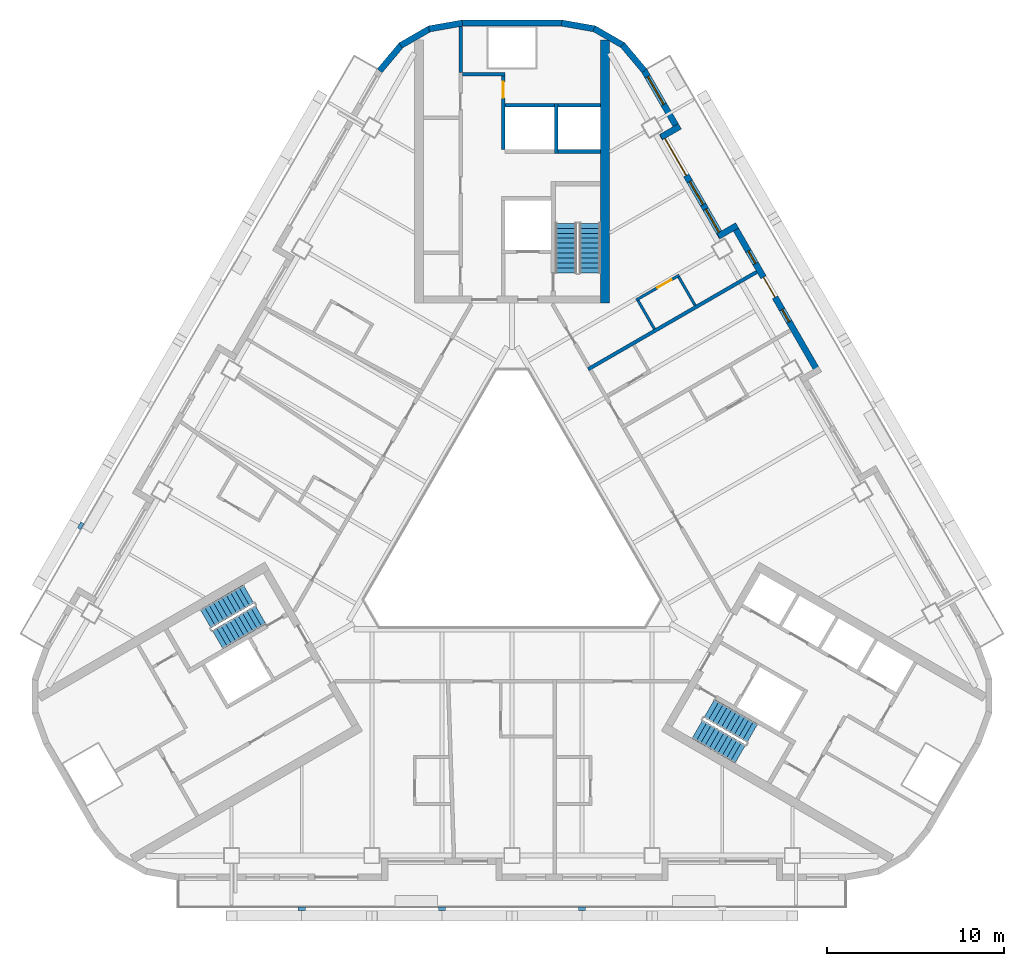
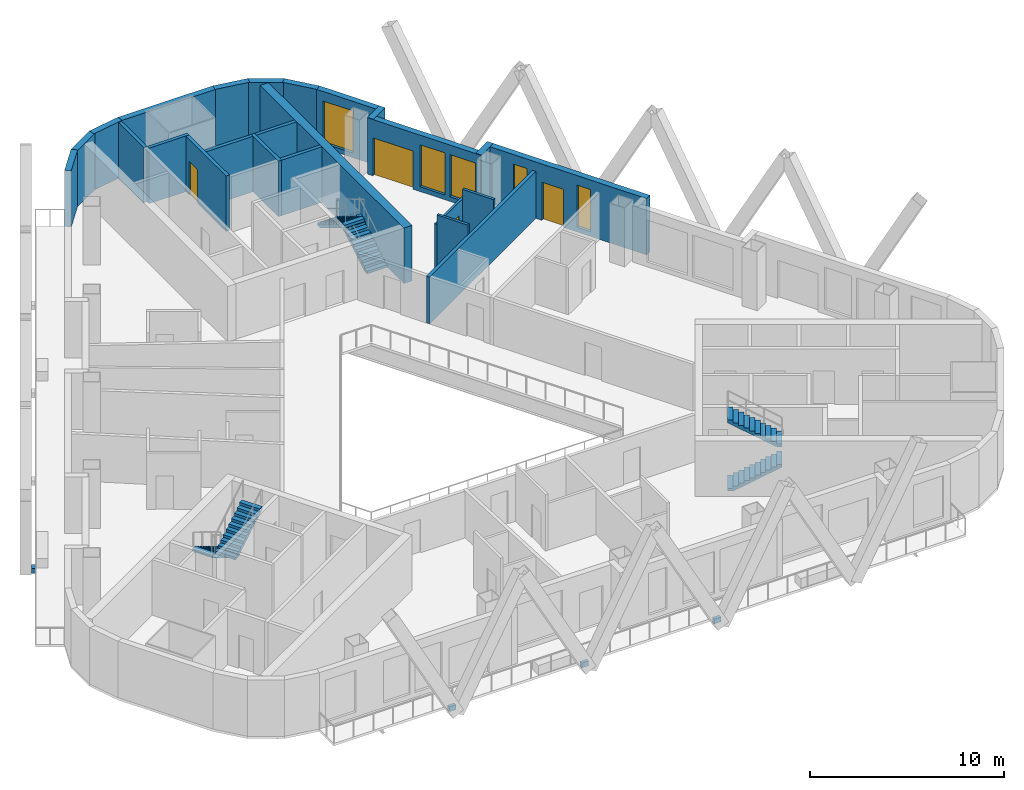
# One storey, part 7 of 14: 24 walls, 6 stair flights, 5 windows, 4 discrete accessories, 4 doors, 9 openings, 3 elements without a shape of their own.
"""IFC4 building model written with IfcOpenShell, lengths in metres."""

from ifc_helpers import new_model, si_unit, direction, frame, frame_2d, origin, origin_2d, place, context, subcontext, project, spatial, polyline, rectangle, outline, extrude, material, layer, layer_set, type_object, element, fill, aggregate, save


model = new_model("IFC4")

# Units and contexts
model_context = context("Model", 3, precision=1e-05, world=origin(), true_north=direction((0.0, 1.0)))
body_context = subcontext(model_context, "Body", "Model", "MODEL_VIEW")
ifc_project = project(units=[si_unit("LENGTHUNIT", "METRE"), si_unit("AREAUNIT", "SQUARE_METRE"), si_unit("VOLUMEUNIT", "CUBIC_METRE"), si_unit("PLANEANGLEUNIT", "RADIAN"), si_unit("MASSUNIT", "GRAM", prefix="KILO")], contexts=[model_context])

# Site, building, storey
site_placement = place(None, origin())
site = spatial("IfcSite", under=ifc_project, at=site_placement, CompositionType="ELEMENT")
building_placement = place(site_placement, origin())
building = spatial("IfcBuilding", under=site, at=building_placement, Name="Apuvela Tower Hotel", CompositionType="ELEMENT")
storey_placement = place(building_placement, frame((0.0, 0.0, 98.300048828125)))
storey = spatial("IfcBuildingStorey", under=building, at=storey_placement, Name="L22", CompositionType="ELEMENT", Elevation=98.300048828125)

# Walls
ifc_material_1 = material(Name="Concrete C50/60", Category="concrete")
ifc_layer_1 = layer(ifc_material_1, 0.5)
ifc_layer_set_1 = layer_set([ifc_layer_1], Name="COR-WALL-CORE-500")
wall_type_1 = type_object("IfcWallType", Name="COR-WALL-CORE-500", PredefinedType="SHEAR", material=ifc_layer_set_1)
wall_1_placement = place(storey_placement, frame((5.25, 12.89990234375, 0.0), z_axis=(0.0, 0.0, 1.0), x_axis=(0.0, 1.0, 0.0)))
element("IfcWall", 1, at=wall_1_placement, inside=storey, type_object=wall_type_1, Name="Core wall N", PredefinedType="SHEAR", context=body_context, shape_type="SweptSolid", body=[
    extrude(rectangle(XDim=14.8369140625, YDim=0.5, at=frame_2d((7.41845703125, 0.0))), origin(), (0.0, 0.0, 1.0), 3.5),
])
ifc_material_2 = material(Name="Blockwork 200 mm plastered", Category="masonry")
ifc_layer_2 = layer(ifc_material_2, 0.199951171875)
ifc_layer_set_2 = layer_set([ifc_layer_2], Name="COR-WALL-PART-200")
wall_type_2 = type_object("IfcWallType", Name="COR-WALL-PART-200", PredefinedType="PARTITIONING", material=ifc_layer_set_2)
wall_2_placement = place(storey_placement, frame((5.0, 21.449951171875, 0.0), z_axis=(0.0, 0.0, 1.0), x_axis=(-1.0, 0.0, 0.0)))
element("IfcWall", 2, at=wall_2_placement, inside=storey, type_object=wall_type_2, Name="Partition N", PredefinedType="PARTITIONING", context=body_context, shape_type="SweptSolid", body=[
    extrude(rectangle(XDim=2.39990234375, YDim=0.199951171875, at=frame_2d((1.199951171875, 0.0))), origin(), (0.0, 0.0, 1.0), 3.5),
])
ifc_layer_3 = layer(ifc_material_1, 0.199951171875)
ifc_layer_set_3 = layer_set([ifc_layer_3], Name="COR-WALL-SHAFT-200")
wall_type_3 = type_object("IfcWallType", Name="COR-WALL-SHAFT-200", PredefinedType="SHEAR", material=ifc_layer_set_3)
wall_3_placement = place(storey_placement, frame((-0.39990234375, 25.800048828125, 0.0), z_axis=(0.0, 0.0, 1.0), x_axis=(-1.0, 0.0, 0.0)))
element("IfcWall", 3, at=wall_3_placement, inside=storey, type_object=wall_type_3, Name="Shaft wall N", PredefinedType="SHEAR", context=body_context, shape_type="SweptSolid", body=[
    extrude(rectangle(XDim=2.400146484375, YDim=0.199951171875, at=frame_2d((1.2001953125, 0.0))), origin(), (0.0, 0.0, 1.0), 3.5),
])

# Wall, opening, door
wall_4_placement = place(storey_placement, frame((-0.5, 21.550048828125, 0.0), z_axis=(0.0, 0.0, 1.0), x_axis=(0.0, 1.0, 0.0)))
wall_4 = element("IfcWall", 4, at=wall_4_placement, inside=storey, type_object=wall_type_3, Name="Shaft wall N", PredefinedType="SHEAR", context=body_context, shape_type="SweptSolid", body=[
    extrude(rectangle(XDim=4.14990234375, YDim=0.199951171875, at=frame_2d((2.074951171875, 0.0))), origin(), (0.0, 0.0, 1.0), 3.5),
])
opening_1_placement = place(wall_4_placement, frame((2.925048828125, 0.0, 0.0)))
opening_1 = element("IfcOpeningElement", 5, at=opening_1_placement, cuts=wall_4, Name="Opening N-RSP", PredefinedType="OPENING", context=body_context, shape_type="SweptSolid", body=[
    extrude(rectangle(XDim=0.89990234375, YDim=2.10009765625, at=frame_2d((0.449951171875, 1.050048828125))), frame((0.0, 0.10986328125, 0.0), z_axis=(0.0, -1.0, 0.0), x_axis=(1.0, 0.0, 0.0)), (0.0, 0.0, 1.0), 0.219970703125),
])
ifc_material_3 = material(Name="Steel fire door, powder coated", Category="steel")
door_type_1 = type_object("IfcDoorType", Name="COR-DR-900", OperationType="NOTDEFINED", PredefinedType="DOOR", material=ifc_material_3)
door_1_placement = place(opening_1_placement, frame((0.89990234375, 0.0, 0.0), z_axis=(0.0, 0.0, 1.0), x_axis=(-1.0, 0.0, 0.0)))
door_1 = element("IfcDoor", 6, at=door_1_placement, inside=storey, type_object=door_type_1, Name="Store door N-RSP", OperationType="SINGLE_SWING_LEFT", OverallHeight=2.10009765625, OverallWidth=0.89990234375, PredefinedType="DOOR", context=body_context, shape_type="SweptSolid", body=[
    extrude(rectangle(XDim=0.89990234375, YDim=2.10009765625, at=frame_2d((0.449951171875, 1.050048828125))), frame((0.0, 0.02490234375, 0.0), z_axis=(0.0, -1.0, 0.0), x_axis=(1.0, 0.0, 0.0)), (0.0, 0.0, 1.0), 0.050048828125),
])
fill(opening_1, door_1)

# Walls
wall_5_placement = place(storey_placement, frame((-2.89990234375, 25.89990234375, 0.0), z_axis=(0.0, 0.0, 1.0), x_axis=(0.0, 1.0, 0.0)))
element("IfcWall", 7, at=wall_5_placement, inside=storey, type_object=wall_type_3, Name="Shaft wall N", PredefinedType="SHEAR", context=body_context, shape_type="SweptSolid", body=[
    extrude(rectangle(XDim=2.60009765625, YDim=0.199951171875, at=frame_2d((1.300048828125, 0.0))), origin(), (0.0, 0.0, 1.0), 3.5),
])
wall_6_placement = place(storey_placement, frame((2.5, 21.35009765625, 0.0), z_axis=(0.0, 0.0, 1.0), x_axis=(0.0, 1.0, 0.0)))
element("IfcWall", 8, at=wall_6_placement, inside=storey, type_object=wall_type_3, Name="Shaft wall N", PredefinedType="SHEAR", context=body_context, shape_type="SweptSolid", body=[
    extrude(rectangle(XDim=2.7998046875, YDim=0.199951171875, at=frame_2d((1.39990234375, 0.0))), origin(), (0.0, 0.0, 1.0), 3.5),
])
wall_7_placement = place(storey_placement, frame((5.0, 24.050048828125, 0.0), z_axis=(0.0, 0.0, 1.0), x_axis=(-1.0, 0.0, 0.0)))
element("IfcWall", 9, at=wall_7_placement, inside=storey, type_object=wall_type_3, Name="Shaft wall N", PredefinedType="SHEAR", context=body_context, shape_type="SweptSolid", body=[
    extrude(rectangle(XDim=2.39990234375, YDim=0.199951171875, at=frame_2d((1.199951171875, 0.0))), origin(), (0.0, 0.0, 1.0), 3.5),
])
wall_8_placement = place(storey_placement, frame((2.39990234375, 24.050048828125, 0.0), z_axis=(0.0, 0.0, 1.0), x_axis=(-1.0, 0.0, 0.0)))
element("IfcWall", 10, at=wall_8_placement, inside=storey, type_object=wall_type_3, Name="Shaft wall N", PredefinedType="SHEAR", context=body_context, shape_type="SweptSolid", body=[
    extrude(rectangle(XDim=2.7998046875, YDim=0.199951171875, at=frame_2d((1.39990234375, 0.0))), origin(), (0.0, 0.0, 1.0), 3.5),
])

# Wall, openings, door, windows
ifc_material_4 = material(Name="Concrete C40/50, dark pigmented precast panel", Category="concrete")
ifc_layer_4 = layer(ifc_material_4, 0.35009765625)
ifc_layer_set_4 = layer_set([ifc_layer_4], Name="ENV-WALL-350")
wall_type_4 = type_object("IfcWallType", Name="ENV-WALL-350", PredefinedType="SOLIDWALL", material=ifc_layer_set_4)
wall_9_placement = place(storey_placement, frame((17.298583984375, 8.947998046875, 0.0), z_axis=(0.0, 0.0, 1.0), x_axis=(-0.500010041276, 0.866019606374, 0.0)))
wall_9 = element("IfcWall", 11, at=wall_9_placement, inside=storey, type_object=wall_type_4, Name="External wall L22-37", PredefinedType="SOLIDWALL", context=body_context, shape_type="SweptSolid", body=[
    extrude(rectangle(XDim=9.699951171875, YDim=0.35009765625, at=frame_2d((4.85009765625, 0.0))), origin(), (0.0, 0.0, 1.0), 3.550048828125),
])
opening_2_placement = place(wall_9_placement, frame((3.3505859375, 0.0, 0.300048828125)))
opening_2 = element("IfcOpeningElement", 12, at=opening_2_placement, cuts=wall_9, Name="Opening WN08", PredefinedType="OPENING", context=body_context, shape_type="SweptSolid", body=[
    extrude(rectangle(XDim=0.800048828125, YDim=2.64990234375, at=frame_2d((0.39990234375, 1.324951171875))), frame((0.0, 0.18505859375, 0.0), z_axis=(0.0, -1.0, 0.0), x_axis=(1.0, 0.0, 0.0)), (0.0, 0.0, 1.0), 0.3701171875),
])
opening_3_placement = place(wall_9_placement, frame((4.94970703125, 0.0, 0.0)))
opening_3 = element("IfcOpeningElement", 13, at=opening_3_placement, cuts=wall_9, Name="Opening BD13", PredefinedType="OPENING", context=body_context, shape_type="SweptSolid", body=[
    extrude(rectangle(XDim=1.300048828125, YDim=2.39990234375, at=frame_2d((0.64990234375, 1.199951171875))), frame((0.0, 0.18505859375, 0.0), z_axis=(0.0, -1.0, 0.0), x_axis=(1.0, 0.0, 0.0)), (0.0, 0.0, 1.0), 0.3701171875),
])
opening_4_placement = place(wall_9_placement, frame((7.150390625, 0.0, 0.300048828125)))
opening_4 = element("IfcOpeningElement", 14, at=opening_4_placement, cuts=wall_9, Name="Opening WN08", PredefinedType="OPENING", context=body_context, shape_type="SweptSolid", body=[
    extrude(rectangle(XDim=0.800048828125, YDim=2.64990234375, at=frame_2d((0.39990234375, 1.324951171875))), frame((0.0, 0.18505859375, 0.0), z_axis=(0.0, -1.0, 0.0), x_axis=(1.0, 0.0, 0.0)), (0.0, 0.0, 1.0), 0.3701171875),
])
ifc_material_5 = material(Name="Aluminium 6063-T6, dark bronze anodised frame with dark tinted laminated glass", Category="aluminium")
door_type_2 = type_object("IfcDoorType", Name="ENV-DOOR-BALCONY-1300x2400", OperationType="SLIDING_TO_LEFT", PredefinedType="DOOR", material=ifc_material_5)
door_2_placement = place(opening_3_placement, frame((1.300048828125, 0.0, 0.0), z_axis=(0.0, 0.0, 1.0), x_axis=(-1.0, 0.0, 0.0)))
door_2 = element("IfcDoor", 15, at=door_2_placement, inside=storey, type_object=door_type_2, Name="Balcony door BD13", OperationType="SLIDING_TO_LEFT", OverallHeight=2.39990234375, OverallWidth=1.300048828125, PredefinedType="DOOR", context=body_context, shape_type="SweptSolid", body=[
    extrude(rectangle(XDim=1.300048828125, YDim=2.39990234375, at=frame_2d((0.64990234375, 1.199951171875))), frame((0.0, 0.02490234375, 0.0), z_axis=(0.0, -1.0, 0.0), x_axis=(1.0, 0.0, 0.0)), (0.0, 0.0, 1.0), 0.050048828125),
])
fill(opening_3, door_2)
ifc_material_6 = material(Name="Glass, dark tinted laminated insulated glazing unit", Category="glass")
window_type_1 = type_object("IfcWindowType", Name="ENV-WIN-800x2650", PartitioningType="SINGLE_PANEL", PredefinedType="WINDOW", material=ifc_material_6)
window_1_placement = place(opening_2_placement, origin())
window_1 = element("IfcWindow", 16, at=window_1_placement, inside=storey, type_object=window_type_1, Name="Window WN08", OverallHeight=2.64990234375, OverallWidth=0.800048828125, PartitioningType="SINGLE_PANEL", PredefinedType="WINDOW", context=body_context, shape_type="SweptSolid", body=[
    extrude(rectangle(XDim=0.800048828125, YDim=2.64990234375, at=frame_2d((0.39990234375, 1.324951171875))), frame((0.0, 0.030029296875, 0.0), z_axis=(0.0, -1.0, 0.0), x_axis=(1.0, 0.0, 0.0)), (0.0, 0.0, 1.0), 0.06005859375),
])
fill(opening_2, window_1)
window_2_placement = place(opening_4_placement, origin())
window_2 = element("IfcWindow", 17, at=window_2_placement, inside=storey, type_object=window_type_1, Name="Window WN08", OverallHeight=2.64990234375, OverallWidth=0.800048828125, PartitioningType="SINGLE_PANEL", PredefinedType="WINDOW", context=body_context, shape_type="SweptSolid", body=[
    extrude(rectangle(XDim=0.800048828125, YDim=2.64990234375, at=frame_2d((0.39990234375, 1.324951171875))), frame((0.0, 0.030029296875, 0.0), z_axis=(0.0, -1.0, 0.0), x_axis=(1.0, 0.0, 0.0)), (0.0, 0.0, 1.0), 0.06005859375),
])
fill(opening_4, window_2)

# Wall
wall_10_placement = place(storey_placement, frame((12.6875, 17.284423828125, 0.0), z_axis=(0.0, 0.0, 1.0), x_axis=(-0.865955602162, -0.500120880472, 0.0)))
element("IfcWall", 18, at=wall_10_placement, inside=storey, type_object=wall_type_4, Name="External wall L22-38", PredefinedType="SOLIDWALL", context=body_context, shape_type="SweptSolid", body=[
    extrude(rectangle(XDim=1.219970703125, YDim=0.35009765625, at=frame_2d((0.60986328125, 0.0))), origin(), (0.0, 0.0, 1.0), 3.550048828125),
])

# Wall, openings, door, windows
wall_11_placement = place(storey_placement, frame((11.8291015625, 16.621337890625, 0.0), z_axis=(0.0, 0.0, 1.0), x_axis=(-0.500003597184, 0.866023326939, 0.0)))
wall_11 = element("IfcWall", 19, at=wall_11_placement, inside=storey, type_object=wall_type_4, Name="External wall L22-39", PredefinedType="SOLIDWALL", context=body_context, shape_type="SweptSolid", body=[
    extrude(rectangle(XDim=6.740234375, YDim=0.35009765625, at=frame_2d((3.3701171875, 0.0))), origin(), (0.0, 0.0, 1.0), 3.550048828125),
])
opening_5_placement = place(wall_11_placement, frame((4.01953125, 0.0, 0.0)))
opening_5 = element("IfcOpeningElement", 20, at=opening_5_placement, cuts=wall_11, Name="Opening BD24", PredefinedType="OPENING", context=body_context, shape_type="SweptSolid", body=[
    extrude(rectangle(XDim=2.39990234375, YDim=2.39990234375, at=frame_2d((1.199951171875, 1.199951171875))), frame((0.0, 0.18505859375, 0.0), z_axis=(0.0, -1.0, 0.0), x_axis=(1.0, 0.0, 0.0)), (0.0, 0.0, 1.0), 0.3701171875),
])
opening_6_placement = place(wall_11_placement, frame((0.320068359375, 0.0, 0.300048828125)))
opening_6 = element("IfcOpeningElement", 21, at=opening_6_placement, cuts=wall_11, Name="Opening WN15", PredefinedType="OPENING", context=body_context, shape_type="SweptSolid", body=[
    extrude(rectangle(XDim=1.5, YDim=2.64990234375, at=frame_2d((0.75, 1.324951171875))), frame((0.0, 0.18505859375, 0.0), z_axis=(0.0, -1.0, 0.0), x_axis=(1.0, 0.0, 0.0)), (0.0, 0.0, 1.0), 0.3701171875),
])
opening_7_placement = place(wall_11_placement, frame((2.1201171875, 0.0, 0.300048828125)))
opening_7 = element("IfcOpeningElement", 22, at=opening_7_placement, cuts=wall_11, Name="Opening WN15", PredefinedType="OPENING", context=body_context, shape_type="SweptSolid", body=[
    extrude(rectangle(XDim=1.5, YDim=2.64990234375, at=frame_2d((0.75, 1.324951171875))), frame((0.0, 0.18505859375, 0.0), z_axis=(0.0, -1.0, 0.0), x_axis=(1.0, 0.0, 0.0)), (0.0, 0.0, 1.0), 0.3701171875),
])
door_type_3 = type_object("IfcDoorType", Name="ENV-DOOR-BALCONY-2400x2400", OperationType="SLIDING_TO_LEFT", PredefinedType="DOOR", material=ifc_material_5)
door_3_placement = place(opening_5_placement, frame((2.39990234375, 0.0, 0.0), z_axis=(0.0, 0.0, 1.0), x_axis=(-1.0, 0.0, 0.0)))
door_3 = element("IfcDoor", 23, at=door_3_placement, inside=storey, type_object=door_type_3, Name="Balcony door BD24", OperationType="SLIDING_TO_LEFT", OverallHeight=2.39990234375, OverallWidth=2.39990234375, PredefinedType="DOOR", context=body_context, shape_type="SweptSolid", body=[
    extrude(rectangle(XDim=2.39990234375, YDim=2.39990234375, at=frame_2d((1.199951171875, 1.199951171875))), frame((0.0, 0.02490234375, 0.0), z_axis=(0.0, -1.0, 0.0), x_axis=(1.0, 0.0, 0.0)), (0.0, 0.0, 1.0), 0.050048828125),
])
fill(opening_5, door_3)
window_type_2 = type_object("IfcWindowType", Name="ENV-WIN-1500x2650", PartitioningType="SINGLE_PANEL", PredefinedType="WINDOW", material=ifc_material_6)
window_3_placement = place(opening_6_placement, origin())
window_3 = element("IfcWindow", 24, at=window_3_placement, inside=storey, type_object=window_type_2, Name="Window WN15", OverallHeight=2.64990234375, OverallWidth=1.5, PartitioningType="SINGLE_PANEL", PredefinedType="WINDOW", context=body_context, shape_type="SweptSolid", body=[
    extrude(rectangle(XDim=1.5, YDim=2.64990234375, at=frame_2d((0.75, 1.324951171875))), frame((0.0, 0.030029296875, 0.0), z_axis=(0.0, -1.0, 0.0), x_axis=(1.0, 0.0, 0.0)), (0.0, 0.0, 1.0), 0.06005859375),
])
fill(opening_6, window_3)
window_4_placement = place(opening_7_placement, origin())
window_4 = element("IfcWindow", 25, at=window_4_placement, inside=storey, type_object=window_type_2, Name="Window WN15", OverallHeight=2.64990234375, OverallWidth=1.5, PartitioningType="SINGLE_PANEL", PredefinedType="WINDOW", context=body_context, shape_type="SweptSolid", body=[
    extrude(rectangle(XDim=1.5, YDim=2.64990234375, at=frame_2d((0.75, 1.324951171875))), frame((0.0, 0.030029296875, 0.0), z_axis=(0.0, -1.0, 0.0), x_axis=(1.0, 0.0, 0.0)), (0.0, 0.0, 1.0), 0.06005859375),
])
fill(opening_7, window_4)

# Wall
wall_12_placement = place(storey_placement, frame((8.406005859375, 22.26025390625, 0.0), z_axis=(0.0, 0.0, 1.0), x_axis=(0.865955602162, 0.500120880472, 0.0)))
element("IfcWall", 26, at=wall_12_placement, inside=storey, type_object=wall_type_4, Name="External wall L22-40", PredefinedType="SOLIDWALL", context=body_context, shape_type="SweptSolid", body=[
    extrude(rectangle(XDim=1.219970703125, YDim=0.35009765625, at=frame_2d((0.60986328125, 0.0))), origin(), (0.0, 0.0, 1.0), 3.550048828125),
])

# Wall, opening, window
wall_13_placement = place(storey_placement, frame((9.3984375, 22.631103515625, 0.0), z_axis=(0.0, 0.0, 1.0), x_axis=(-0.499954521343, 0.866051659307, 0.0)))
wall_13 = element("IfcWall", 27, at=wall_13_placement, inside=storey, type_object=wall_type_4, Name="External wall L22-41", PredefinedType="SOLIDWALL", context=body_context, shape_type="SweptSolid", body=[
    extrude(rectangle(XDim=3.915771484375, YDim=0.35009765625, at=frame_2d((1.9580078125, 0.0))), origin(), (0.0, 0.0, 1.0), 3.550048828125),
])
opening_8_placement = place(wall_13_placement, frame((1.69970703125, 0.0, 0.300048828125)))
opening_8 = element("IfcOpeningElement", 28, at=opening_8_placement, cuts=wall_13, Name="Opening WN18", PredefinedType="OPENING", context=body_context, shape_type="SweptSolid", body=[
    extrude(rectangle(XDim=1.800048828125, YDim=2.64990234375, at=frame_2d((0.89990234375, 1.324951171875))), frame((0.0, 0.18505859375, 0.0), z_axis=(0.0, -1.0, 0.0), x_axis=(1.0, 0.0, 0.0)), (0.0, 0.0, 1.0), 0.3701171875),
])
window_type_3 = type_object("IfcWindowType", Name="ENV-WIN-1800x2650", PartitioningType="SINGLE_PANEL", PredefinedType="WINDOW", material=ifc_material_6)
window_5_placement = place(opening_8_placement, origin())
window_5 = element("IfcWindow", 29, at=window_5_placement, inside=storey, type_object=window_type_3, Name="Window WN18", OverallHeight=2.64990234375, OverallWidth=1.800048828125, PartitioningType="SINGLE_PANEL", PredefinedType="WINDOW", context=body_context, shape_type="SweptSolid", body=[
    extrude(rectangle(XDim=1.800048828125, YDim=2.64990234375, at=frame_2d((0.89990234375, 1.324951171875))), frame((0.0, 0.030029296875, 0.0), z_axis=(0.0, -1.0, 0.0), x_axis=(1.0, 0.0, 0.0)), (0.0, 0.0, 1.0), 0.06005859375),
])
fill(opening_8, window_5)

# Walls
wall_14_placement = place(storey_placement, frame((7.4580078125, 25.99755859375, 0.0), z_axis=(0.0, 0.0, 1.0), x_axis=(-0.642808304945, 0.766027077259, 0.0)))
element("IfcWall", 30, at=wall_14_placement, inside=storey, type_object=wall_type_4, Name="External wall L22-42", PredefinedType="SOLIDWALL", context=body_context, shape_type="SweptSolid", body=[
    extrude(rectangle(XDim=1.909912109375, YDim=0.35009765625, at=frame_2d((0.955078125, 0.0))), origin(), (0.0, 0.0, 1.0), 3.550048828125),
])
for number, where, z_axis, x_axis, name in (
    (31, (6.27685546875, 27.421630859375, 0.0), (0.0, 0.0, 1.0), (-0.866032345022, 0.499987977232, 0.0), "External wall L22-43"),
    (32, (4.6796875, 28.35595703125, 0.0), (0.0, 0.0, 1.0), (-0.984798995425, 0.173697837091, 0.0), "External wall L22-44"),
):
    element("IfcWall", number, at=place(storey_placement, frame(where, z_axis=z_axis, x_axis=x_axis)), inside=storey, type_object=wall_type_4, Name=name, PredefinedType="SOLIDWALL", context=body_context, shape_type="SweptSolid", body=[
        extrude(rectangle(XDim=1.91015625, YDim=0.35009765625, at=frame_2d((0.955078125, 0.0))), origin(), (0.0, 0.0, 1.0), 3.550048828125),
    ])
wall_15_placement = place(storey_placement, frame((2.8291015625, 28.68505859375, 0.0), z_axis=(0.0, 0.0, 1.0), x_axis=(-1.0, 0.0, 0.0)))
element("IfcWall", 33, at=wall_15_placement, inside=storey, type_object=wall_type_4, Name="External wall L22-45", PredefinedType="SOLIDWALL", context=body_context, shape_type="SweptSolid", body=[
    extrude(rectangle(XDim=5.658203125, YDim=0.35009765625, at=frame_2d((2.8291015625, 0.0))), origin(), (0.0, 0.0, 1.0), 3.550048828125),
])
for number, where, z_axis, x_axis, name in (
    (34, (-2.798583984375, 28.687744140625, 0.0), (0.0, 0.0, 1.0), (-0.984798995425, -0.173697837091, 0.0), "External wall L22-46"),
    (35, (-4.62255859375, 28.376708984375, 0.0), (0.0, 0.0, 1.0), (-0.866032345022, -0.499987977232, 0.0), "External wall L22-47"),
):
    element("IfcWall", number, at=place(storey_placement, frame(where, z_axis=z_axis, x_axis=x_axis)), inside=storey, type_object=wall_type_4, Name=name, PredefinedType="SOLIDWALL", context=body_context, shape_type="SweptSolid", body=[
        extrude(rectangle(XDim=1.91015625, YDim=0.35009765625, at=frame_2d((0.955078125, 0.0))), origin(), (0.0, 0.0, 1.0), 3.550048828125),
    ])
wall_16_placement = place(storey_placement, frame((-6.230224609375, 27.460693359375, 0.0), z_axis=(0.0, 0.0, 1.0), x_axis=(-0.642808304945, -0.766027077259, 0.0)))
element("IfcWall", 36, at=wall_16_placement, inside=storey, type_object=wall_type_4, Name="External wall L22-48", PredefinedType="SOLIDWALL", context=body_context, shape_type="SweptSolid", body=[
    extrude(rectangle(XDim=1.909912109375, YDim=0.35009765625, at=frame_2d((0.955078125, 0.0))), origin(), (0.0, 0.0, 1.0), 3.550048828125),
])
ifc_material_7 = material(Name="Gypsum board partition on twin steel stud", Category="steel")
ifc_layer_5 = layer(ifc_material_7, 0.199951171875)
ifc_layer_set_5 = layer_set([ifc_layer_5], Name="GST-PW1")
wall_type_5 = type_object("IfcWallType", Name="GST-PW1", PredefinedType="PARTITIONING", material=ifc_layer_set_5)
wall_17_placement = place(storey_placement, frame((13.797119140625, 14.662841796875, 0.0), z_axis=(0.0, 0.0, 1.0), x_axis=(-0.866027479907, -0.499996404033, 0.0)))
element("IfcWall", 37, at=wall_17_placement, inside=storey, type_object=wall_type_5, Name="L22 partition 04", PredefinedType="PARTITIONING", context=body_context, shape_type="SweptSolid", body=[
    extrude(rectangle(XDim=10.97998046875, YDim=0.199951171875, at=frame_2d((5.489990234375, 0.0))), origin(), (0.0, 0.0, 1.0), 2.9599609375),
])

# Wall, opening, door
ifc_material_8 = material(Name="Moisture-resistant gypsum board wet wall on steel stud", Category="steel")
ifc_layer_6 = layer(ifc_material_8, 0.14990234375)
ifc_layer_set_6 = layer_set([ifc_layer_6], Name="GST-PW3")
wall_type_6 = type_object("IfcWallType", Name="GST-PW3", PredefinedType="PARTITIONING", material=ifc_layer_set_6)
wall_18_placement = place(storey_placement, frame((9.42431640625, 14.4765625, 0.0), z_axis=(0.0, 0.0, 1.0), x_axis=(-0.866034573852, -0.49998411664, 0.0)))
wall_18 = element("IfcWall", 38, at=wall_18_placement, inside=storey, type_object=wall_type_6, Name="L22 partition 27", PredefinedType="PARTITIONING", context=body_context, shape_type="SweptSolid", body=[
    extrude(rectangle(XDim=2.7998046875, YDim=0.14990234375, at=frame_2d((1.39990234375, 0.0))), origin(), (0.0, 0.0, 1.0), 2.949951171875),
])
opening_9_placement = place(wall_18_placement, frame((0.5, 0.0, 0.0)))
opening_9 = element("IfcOpeningElement", 39, at=opening_9_placement, cuts=wall_18, Name="Opening GD07-11", PredefinedType="OPENING", context=body_context, shape_type="SweptSolid", body=[
    extrude(rectangle(XDim=0.89990234375, YDim=2.10009765625, at=frame_2d((0.449951171875, 1.050048828125))), frame((0.0, 0.0849609375, 0.0), z_axis=(0.0, -1.0, 0.0), x_axis=(1.0, 0.0, 0.0)), (0.0, 0.0, 1.0), 0.169921875),
])
ifc_material_9 = material(Name="Timber door leaf in steel frame", Category="steel")
door_type_4 = type_object("IfcDoorType", Name="GST-D2", OperationType="NOTDEFINED", PredefinedType="DOOR", material=ifc_material_9)
door_4_placement = place(opening_9_placement, origin())
door_4 = element("IfcDoor", 40, at=door_4_placement, inside=storey, type_object=door_type_4, Name="Door L22-11", OperationType="SINGLE_SWING_LEFT", OverallHeight=2.10009765625, OverallWidth=0.89990234375, PredefinedType="DOOR", context=body_context, shape_type="SweptSolid", body=[
    extrude(rectangle(XDim=0.89990234375, YDim=2.10009765625, at=frame_2d((0.449951171875, 1.050048828125))), frame((0.0, 0.02490234375, 0.0), z_axis=(0.0, -1.0, 0.0), x_axis=(1.0, 0.0, 0.0)), (0.0, 0.0, 1.0), 0.050048828125),
])
fill(opening_9, door_4)

# Walls
for number, where, z_axis, x_axis, name in (
    (41, (10.32177734375, 12.77197265625, 0.0), (0.0, 0.0, 1.0), (-0.499985172903, 0.866033964044, 0.0), "L22 partition 28"),
    (42, (8.02685546875, 11.447021484375, 0.0), (0.0, 0.0, 1.0), (-0.499985172903, 0.866033964044, 0.0), "L22 partition 29"),
):
    element("IfcWall", number, at=place(storey_placement, frame(where, z_axis=z_axis, x_axis=x_axis)), inside=storey, type_object=wall_type_6, Name=name, PredefinedType="PARTITIONING", context=body_context, shape_type="SweptSolid", body=[
        extrude(rectangle(XDim=1.85009765625, YDim=0.14990234375, at=frame_2d((0.925048828125, 0.0))), origin(), (0.0, 0.0, 1.0), 3.550048828125),
    ])

# Stair, stair flights
stair_type = type_object("IfcStairType", Name="COR-STAIR-22R", PredefinedType="HALF_TURN_STAIR", material=ifc_material_1)
stair_1_placement = place(storey_placement, origin())
stair_1 = element("IfcStair", 43, at=stair_1_placement, inside=storey, type_object=stair_type, Name="L22 Exit stair ST1", PredefinedType="HALF_TURN_STAIR")
stair_flight_type = type_object("IfcStairFlightType", Name="COR-FLIGHT-11R", PredefinedType="STRAIGHT", material=ifc_material_1)
stair_flight_1_placement = place(storey_placement, frame((4.39990234375, 14.60009765625, 0.0), z_axis=(0.0, 0.0, 1.0), x_axis=(0.0, 1.0, 0.0)))
stair_flight_1 = element("IfcStairFlight", 44, at=stair_flight_1_placement, type_object=stair_flight_type, Name="ST1 flight 1", NumberOfRisers=11, NumberOfTreads=10, PredefinedType="STRAIGHT", RiserHeight=0.168181818, TreadLength=0.28, context=body_context, shape_type="SweptSolid", body=[
    extrude(outline(polyline([(0.0, 0.0), (0.0, 0.168212890625), (0.280029296875, 0.168212890625), (0.280029296875, 0.33642578125), (0.56005859375, 0.33642578125), (0.56005859375, 0.504638671875), (0.840087890625, 0.504638671875), (0.840087890625, 0.672607421875), (1.1201171875, 0.672607421875), (1.1201171875, 0.8408203125), (1.39990234375, 0.8408203125), (1.39990234375, 1.009033203125), (1.679931640625, 1.009033203125), (1.679931640625, 1.17724609375), (1.9599609375, 1.17724609375), (1.9599609375, 1.345458984375), (2.239990234375, 1.345458984375), (2.239990234375, 1.513671875), (2.52001953125, 1.513671875), (2.52001953125, 1.681884765625), (2.800048828125, 1.681884765625), (2.800048828125, 1.85009765625), (2.800048828125, 1.5068359375), (0.291015625, 0.0), (0.0, 0.0)])), frame((0.0, 0.60009765625, 0.0), z_axis=(0.0, -1.0, 0.0), x_axis=(1.0, 0.0, 0.0)), (0.0, 0.0, 1.0), 1.199951171875),
])
stair_flight_2_placement = place(storey_placement, frame((3.050048828125, 17.39990234375, 1.849853515625), z_axis=(0.0, 0.0, 1.0), x_axis=(0.0, -1.0, 0.0)))
stair_flight_2 = element("IfcStairFlight", 45, at=stair_flight_2_placement, type_object=stair_flight_type, Name="ST1 flight 2", NumberOfRisers=11, NumberOfTreads=10, PredefinedType="STRAIGHT", RiserHeight=0.168181818, TreadLength=0.28, context=body_context, shape_type="SweptSolid", body=[
    extrude(outline(polyline([(0.0, 0.0), (0.0, 0.168212890625), (0.280029296875, 0.168212890625), (0.280029296875, 0.33642578125), (0.56005859375, 0.33642578125), (0.56005859375, 0.504638671875), (0.840087890625, 0.504638671875), (0.840087890625, 0.672607421875), (1.1201171875, 0.672607421875), (1.1201171875, 0.8408203125), (1.39990234375, 0.8408203125), (1.39990234375, 1.009033203125), (1.679931640625, 1.009033203125), (1.679931640625, 1.17724609375), (1.9599609375, 1.17724609375), (1.9599609375, 1.345458984375), (2.239990234375, 1.345458984375), (2.239990234375, 1.513671875), (2.52001953125, 1.513671875), (2.52001953125, 1.681884765625), (2.800048828125, 1.681884765625), (2.800048828125, 1.85009765625), (2.800048828125, 1.5068359375), (0.291015625, 0.0), (0.0, 0.0)])), frame((0.0, 0.60009765625, 0.0), z_axis=(0.0, -1.0, 0.0), x_axis=(1.0, 0.0, 0.0)), (0.0, 0.0, 1.0), 1.199951171875),
])
aggregate(stair_1, [stair_flight_1, stair_flight_2])

stair_2_placement = place(storey_placement, origin())
stair_2 = element("IfcStair", 46, at=stair_2_placement, inside=storey, type_object=stair_type, Name="L22 Exit stair ST2", PredefinedType="HALF_TURN_STAIR")
stair_flight_3_placement = place(storey_placement, frame((-14.843994140625, -3.489501953125, 0.0), z_axis=(0.0, 0.0, 1.0), x_axis=(-0.866025403784, -0.5, 0.0)))
stair_flight_3 = element("IfcStairFlight", 47, at=stair_flight_3_placement, type_object=stair_flight_type, Name="ST2 flight 1", NumberOfRisers=11, NumberOfTreads=10, PredefinedType="STRAIGHT", RiserHeight=0.168181818, TreadLength=0.28, context=body_context, shape_type="SweptSolid", body=[
    extrude(outline(polyline([(0.0, 0.0), (0.0, 0.168212890625), (0.280029296875, 0.168212890625), (0.280029296875, 0.33642578125), (0.56005859375, 0.33642578125), (0.56005859375, 0.504638671875), (0.840087890625, 0.504638671875), (0.840087890625, 0.672607421875), (1.1201171875, 0.672607421875), (1.1201171875, 0.8408203125), (1.39990234375, 0.8408203125), (1.39990234375, 1.009033203125), (1.679931640625, 1.009033203125), (1.679931640625, 1.17724609375), (1.9599609375, 1.17724609375), (1.9599609375, 1.345458984375), (2.239990234375, 1.345458984375), (2.239990234375, 1.513671875), (2.52001953125, 1.513671875), (2.52001953125, 1.681884765625), (2.800048828125, 1.681884765625), (2.800048828125, 1.85009765625), (2.800048828125, 1.5068359375), (0.291015625, 0.0), (0.0, 0.0)])), frame((0.0, 0.60009765625, 0.0), z_axis=(0.0, -1.0, 0.0), x_axis=(1.0, 0.0, 0.0)), (0.0, 0.0, 1.0), 1.199951171875),
])
stair_flight_4_placement = place(storey_placement, frame((-16.59375, -6.05859375, 1.849853515625), z_axis=(0.0, 0.0, 1.0), x_axis=(0.866025403784, 0.5, 0.0)))
stair_flight_4 = element("IfcStairFlight", 48, at=stair_flight_4_placement, type_object=stair_flight_type, Name="ST2 flight 2", NumberOfRisers=11, NumberOfTreads=10, PredefinedType="STRAIGHT", RiserHeight=0.168181818, TreadLength=0.28, context=body_context, shape_type="SweptSolid", body=[
    extrude(outline(polyline([(0.0, 0.0), (0.0, 0.168212890625), (0.280029296875, 0.168212890625), (0.280029296875, 0.33642578125), (0.56005859375, 0.33642578125), (0.56005859375, 0.504638671875), (0.840087890625, 0.504638671875), (0.840087890625, 0.672607421875), (1.1201171875, 0.672607421875), (1.1201171875, 0.8408203125), (1.39990234375, 0.8408203125), (1.39990234375, 1.009033203125), (1.679931640625, 1.009033203125), (1.679931640625, 1.17724609375), (1.9599609375, 1.17724609375), (1.9599609375, 1.345458984375), (2.239990234375, 1.345458984375), (2.239990234375, 1.513671875), (2.52001953125, 1.513671875), (2.52001953125, 1.681884765625), (2.800048828125, 1.681884765625), (2.800048828125, 1.85009765625), (2.800048828125, 1.5068359375), (0.291015625, 0.0), (0.0, 0.0)])), frame((0.0, 0.60009765625, 0.0), z_axis=(0.0, -1.0, 0.0), x_axis=(1.0, 0.0, 0.0)), (0.0, 0.0, 1.0), 1.199951171875),
])
aggregate(stair_2, [stair_flight_3, stair_flight_4])

stair_3_placement = place(storey_placement, origin())
stair_3 = element("IfcStair", 49, at=stair_3_placement, inside=storey, type_object=stair_type, Name="L22 Exit stair ST3", PredefinedType="HALF_TURN_STAIR")
stair_flight_5_placement = place(storey_placement, frame((10.444091796875, -11.110595703125, 0.0), z_axis=(0.0, 0.0, 1.0), x_axis=(0.866025403784, -0.5, 0.0)))
stair_flight_5 = element("IfcStairFlight", 50, at=stair_flight_5_placement, type_object=stair_flight_type, Name="ST3 flight 1", NumberOfRisers=11, NumberOfTreads=10, PredefinedType="STRAIGHT", RiserHeight=0.168181818, TreadLength=0.28, context=body_context, shape_type="SweptSolid", body=[
    extrude(outline(polyline([(0.0, 0.0), (0.0, 0.168212890625), (0.280029296875, 0.168212890625), (0.280029296875, 0.33642578125), (0.56005859375, 0.33642578125), (0.56005859375, 0.504638671875), (0.840087890625, 0.504638671875), (0.840087890625, 0.672607421875), (1.1201171875, 0.672607421875), (1.1201171875, 0.8408203125), (1.39990234375, 0.8408203125), (1.39990234375, 1.009033203125), (1.679931640625, 1.009033203125), (1.679931640625, 1.17724609375), (1.9599609375, 1.17724609375), (1.9599609375, 1.345458984375), (2.239990234375, 1.345458984375), (2.239990234375, 1.513671875), (2.52001953125, 1.513671875), (2.52001953125, 1.681884765625), (2.800048828125, 1.681884765625), (2.800048828125, 1.85009765625), (2.800048828125, 1.5068359375), (0.291015625, 0.0), (0.0, 0.0)])), frame((0.0, 0.60009765625, 0.0), z_axis=(0.0, -1.0, 0.0), x_axis=(1.0, 0.0, 0.0)), (0.0, 0.0, 1.0), 1.199951171875),
])
stair_flight_6_placement = place(storey_placement, frame((13.5439453125, -11.34130859375, 1.849853515625), z_axis=(0.0, 0.0, 1.0), x_axis=(-0.866025403784, 0.5, 0.0)))
stair_flight_6 = element("IfcStairFlight", 51, at=stair_flight_6_placement, type_object=stair_flight_type, Name="ST3 flight 2", NumberOfRisers=11, NumberOfTreads=10, PredefinedType="STRAIGHT", RiserHeight=0.168181818, TreadLength=0.28, context=body_context, shape_type="SweptSolid", body=[
    extrude(outline(polyline([(0.0, 0.0), (0.0, 0.168212890625), (0.280029296875, 0.168212890625), (0.280029296875, 0.33642578125), (0.56005859375, 0.33642578125), (0.56005859375, 0.504638671875), (0.840087890625, 0.504638671875), (0.840087890625, 0.672607421875), (1.1201171875, 0.672607421875), (1.1201171875, 0.8408203125), (1.39990234375, 0.8408203125), (1.39990234375, 1.009033203125), (1.679931640625, 1.009033203125), (1.679931640625, 1.17724609375), (1.9599609375, 1.17724609375), (1.9599609375, 1.345458984375), (2.239990234375, 1.345458984375), (2.239990234375, 1.513671875), (2.52001953125, 1.513671875), (2.52001953125, 1.681884765625), (2.800048828125, 1.681884765625), (2.800048828125, 1.85009765625), (2.800048828125, 1.5068359375), (0.291015625, 0.0), (0.0, 0.0)])), frame((0.0, 0.60009765625, 0.0), z_axis=(0.0, -1.0, 0.0), x_axis=(1.0, 0.0, 0.0)), (0.0, 0.0, 1.0), 1.199951171875),
])
aggregate(stair_3, [stair_flight_5, stair_flight_6])

# Discrete accessories
ifc_material_10 = material(Name="Steel S355, black paint system", Category="steel")
discrete_accessory_type = type_object("IfcDiscreteAccessoryType", Name="ENV-FIN-BRACKET", PredefinedType="BRACKET", material=ifc_material_10)
for number, where, z_axis, x_axis, name in (
    (52, (-24.310791015625, 0.3525390625, -0.25), (0.0, 0.0, 1.0), (-0.5, -0.866025403784, 0.0), "Fin bracket NW185"),
    (53, (-11.85009765625, -21.22998046875, -0.25), (0.0, 0.0, 1.0), (1.0, 0.0, 0.0), "Fin bracket S332"),
    (54, (-3.949951171875, -21.22998046875, -0.25), (0.0, 0.0, 1.0), (1.0, 0.0, 0.0), "Fin bracket S333"),
    (55, (3.949951171875, -21.22998046875, -0.25), (0.0, 0.0, 1.0), (1.0, 0.0, 0.0), "Fin bracket S334"),
):
    element("IfcDiscreteAccessory", number, at=place(storey_placement, frame(where, z_axis=z_axis, x_axis=x_axis)), inside=storey, type_object=discrete_accessory_type, Name=name, PredefinedType="BRACKET", context=body_context, shape_type="SweptSolid", body=[
        extrude(rectangle(XDim=0.39990234375, YDim=0.199951171875, at=origin_2d()), origin(), (0.0, 0.0, 1.0), 0.300048828125),
    ])

save(model, "model.ifc")
